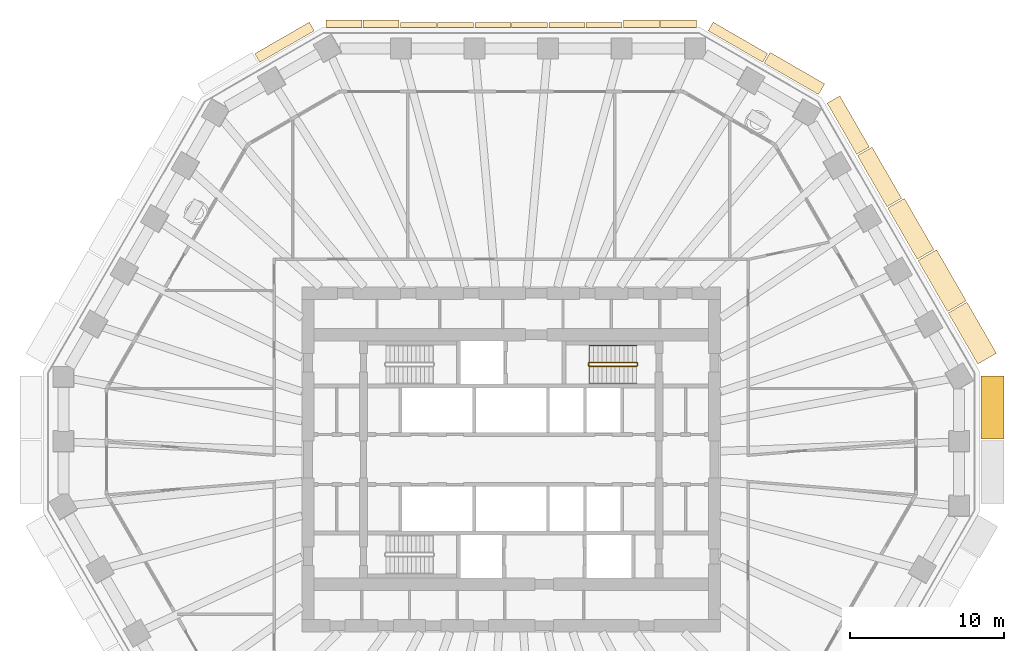
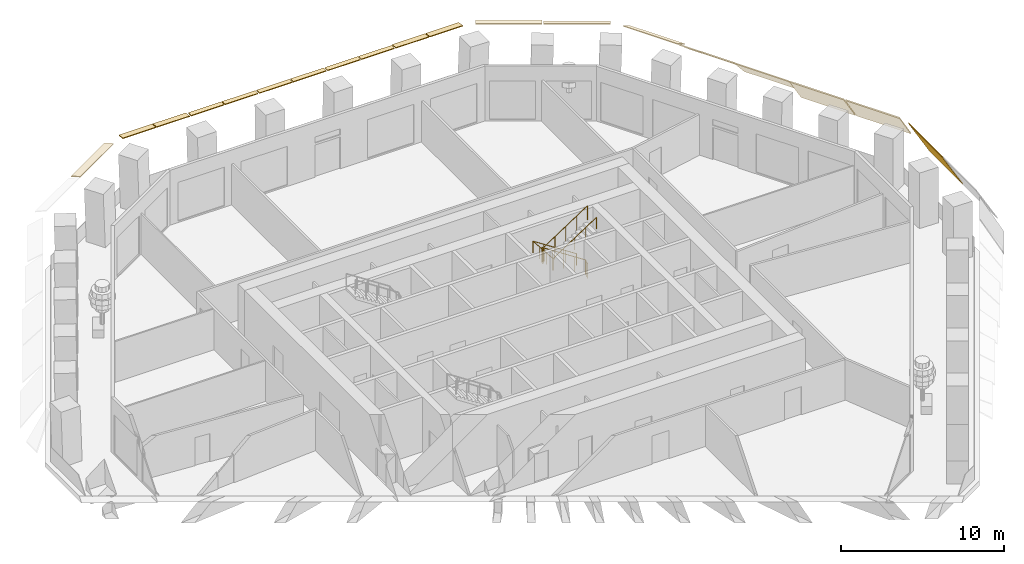
# One storey, part 11 of 13: 19 coverings, 2 railings.
"""IFC4 building model written with IfcOpenShell, lengths in metres."""

from ifc_helpers import new_model, si_unit, direction, frame, origin, origin_2d, place, context, subcontext, project, spatial, polyline, circle, outline, extrude, material, layer, layer_set, type_object, element, save


model = new_model("IFC4")

# Units and contexts
model_context = context("Model", 3, precision=1e-05, world=origin(), true_north=direction((0.0, 1.0)))
body_context = subcontext(model_context, "Body", "Model", "MODEL_VIEW")
ifc_project = project(units=[si_unit("LENGTHUNIT", "METRE"), si_unit("AREAUNIT", "SQUARE_METRE"), si_unit("VOLUMEUNIT", "CUBIC_METRE"), si_unit("PLANEANGLEUNIT", "RADIAN"), si_unit("MASSUNIT", "GRAM", prefix="KILO")], contexts=[model_context])

# Site, building, storey
site_placement = place(None, origin())
site = spatial("IfcSite", under=ifc_project, at=site_placement, CompositionType="ELEMENT")
building_placement = place(site_placement, origin())
building = spatial("IfcBuilding", under=site, at=building_placement, Name="Frailejon Research Tower", CompositionType="ELEMENT")
storey_placement = place(building_placement, frame((0.0, 0.0, 117.60009765625)))
storey = spatial("IfcBuildingStorey", under=building, at=storey_placement, Name="L25", CompositionType="ELEMENT", Elevation=117.60009765625)

# Coverings
ifc_material_1 = material(Name="Precast concrete C50/60", Category="concrete")
ifc_layer_1 = layer(ifc_material_1, 0.06005859375)
ifc_layer_set_1 = layer_set([ifc_layer_1], Name="Brim blade depth 1100")
covering_type_1 = type_object("IfcCoveringType", Name="Brim blade depth 1100", PredefinedType="CLADDING", material=ifc_layer_set_1)
covering_1_placement = place(storey_placement, frame((22.488525390625, 19.738037109375, 4.25), z_axis=(0.499989508112, -0.866031461194, 0.0), x_axis=(0.866031461194, 0.499989508112, 0.0)))
element("IfcCovering", 1, at=covering_1_placement, inside=storey, type_object=covering_type_1, Name="Brim blade L25", PredefinedType="CLADDING", context=body_context, shape_type="SweptSolid", body=[
    extrude(outline(polyline([(0.0, -0.078369140625), (1.10009765625, -1.001220703125), (1.10009765625, -0.923095703125), (0.0, 0.0), (0.0, -0.078369140625)])), origin(), (0.0, 0.0, 1.0), 3.8330078125),
])
ifc_material_2 = material(Name="Precast concrete C50/60", Category="concrete")
ifc_layer_2 = layer(ifc_material_2, 0.06005859375)
ifc_layer_set_2 = layer_set([ifc_layer_2], Name="Brim blade depth 1250")
covering_type_2 = type_object("IfcCoveringType", Name="Brim blade depth 1250", PredefinedType="CLADDING", material=ifc_layer_set_2)
covering_2_placement = place(storey_placement, frame((24.455078125, 16.33203125, 4.25), z_axis=(0.500008578094, -0.866020451163, 0.0), x_axis=(0.866020451163, 0.500008578094, 0.0)))
element("IfcCovering", 2, at=covering_2_placement, inside=storey, type_object=covering_type_2, Name="Brim blade L25", PredefinedType="CLADDING", context=body_context, shape_type="SweptSolid", body=[
    extrude(outline(polyline([(0.0, -0.0888671875), (1.25, -1.452880859375), (1.25, -1.364013671875), (0.0, 0.0), (0.0, -0.0888671875)])), origin(), (0.0, 0.0, 1.0), 3.8330078125),
])
ifc_material_3 = material(Name="Precast concrete C50/60", Category="concrete")
ifc_layer_3 = layer(ifc_material_3, 0.06005859375)
ifc_layer_set_3 = layer_set([ifc_layer_3], Name="Brim blade depth 1400")
covering_type_3 = type_object("IfcCoveringType", Name="Brim blade depth 1400", PredefinedType="CLADDING", material=ifc_layer_set_3)
for number, where, z_axis, x_axis, name in (
    (3, (28.387939453125, 9.52001953125, 4.25), (0.499989508112, -0.866031461194, 0.0), (0.866031461194, 0.499989508112, 0.0), "Brim blade L25"),
    (4, (26.42138671875, 12.926025390625, 4.25), (0.499997567955, -0.866026807922, 0.0), (0.866026807922, 0.499997567955, 0.0), "Brim blade L25"),
):
    element("IfcCovering", number, at=place(storey_placement, frame(where, z_axis=z_axis, x_axis=x_axis)), inside=storey, type_object=covering_type_3, Name=name, PredefinedType="CLADDING", context=body_context, shape_type="SweptSolid", body=[
        extrude(outline(polyline([(0.0, -0.1044921875), (1.39990234375, -2.10400390625), (1.39990234375, -1.99951171875), (0.0, 0.0), (0.0, -0.1044921875)])), origin(), (0.0, 0.0, 1.0), 3.8330078125),
    ])
ifc_material_4 = material(Name="Precast concrete C50/60", Category="concrete")
ifc_layer_4 = layer(ifc_material_4, 0.06005859375)
ifc_layer_set_4 = layer_set([ifc_layer_4], Name="Brim blade depth 1500")
covering_type_4 = type_object("IfcCoveringType", Name="Brim blade depth 1500", PredefinedType="CLADDING", material=ifc_layer_set_4)
covering_3_placement = place(storey_placement, frame((30.51025390625, 5.432373046875, 4.25), z_axis=(0.0, -1.0, 0.0), x_axis=(1.0, 0.0, 0.0)))
element("IfcCovering", 5, at=covering_3_placement, inside=storey, type_object=covering_type_4, Name="Brim blade L25", PredefinedType="CLADDING", context=body_context, shape_type="SweptSolid", body=[
    extrude(outline(polyline([(0.0, -0.1201171875), (1.5, -2.718017578125), (1.5, -2.59814453125), (0.0, 0.0), (0.0, -0.1201171875)])), origin(), (0.0, 0.0, 1.0), 4.08740234375),
])
ifc_material_5 = material(Name="Precast concrete C50/60", Category="concrete")
ifc_layer_5 = layer(ifc_material_5, 0.06005859375)
ifc_layer_set_5 = layer_set([ifc_layer_5], Name="Brim blade depth 350")
covering_type_5 = type_object("IfcCoveringType", Name="Brim blade depth 350", PredefinedType="CLADDING", material=ifc_layer_set_5)
for number, where, z_axis, x_axis, name in (
    (6, (4.860107421875, 28.050048828125, 4.25), (1.0, 0.0, 0.0), (0.0, 1.0, 0.0), "Brim blade L25"),
    (7, (2.465087890625, 28.050048828125, 4.25), (1.0, 0.0, 0.0), (0.0, 1.0, 0.0), "Brim blade L25"),
    (8, (0.030029296875, 28.050048828125, 4.25), (1.0, 0.0, 0.0), (0.0, 1.0, 0.0), "Brim blade L25"),
    (9, (-2.364990234375, 28.050048828125, 4.25), (1.0, 0.0, 0.0), (0.0, 1.0, 0.0), "Brim blade L25"),
    (10, (-4.800048828125, 28.050048828125, 4.25), (1.0, 0.0, 0.0), (0.0, 1.0, 0.0), "Brim blade L25"),
    (11, (-7.195068359375, 28.050048828125, 4.25), (1.0, 0.0, 0.0), (0.0, 1.0, 0.0), "Brim blade L25"),
):
    element("IfcCovering", number, at=place(storey_placement, frame(where, z_axis=z_axis, x_axis=x_axis)), inside=storey, type_object=covering_type_5, Name=name, PredefinedType="CLADDING", context=body_context, shape_type="SweptSolid", body=[
        extrude(outline(polyline([(0.0, -0.06005859375), (0.35009765625, -0.06005859375), (0.35009765625, 0.0), (0.0, 0.0), (0.0, -0.06005859375)])), origin(), (0.0, 0.0, 1.0), 2.3349609375),
    ])
ifc_material_6 = material(Name="Precast concrete C50/60", Category="concrete")
ifc_layer_6 = layer(ifc_material_6, 0.06005859375)
ifc_layer_set_6 = layer_set([ifc_layer_6], Name="Brim blade depth 500")
covering_type_6 = type_object("IfcCoveringType", Name="Brim blade depth 500", PredefinedType="CLADDING", material=ifc_layer_set_6)
for number, where, z_axis, x_axis, name in (
    (12, (9.68994140625, 28.050048828125, 4.25), (1.0, 0.0, 0.0), (0.0, 1.0, 0.0), "Brim blade L25"),
    (13, (7.294921875, 28.050048828125, 4.25), (1.0, 0.0, 0.0), (0.0, 1.0, 0.0), "Brim blade L25"),
    (14, (-9.6298828125, 28.050048828125, 4.25), (1.0, 0.0, 0.0), (0.0, 1.0, 0.0), "Brim blade L25"),
    (15, (-12.02490234375, 28.050048828125, 4.25), (1.0, 0.0, 0.0), (0.0, 1.0, 0.0), "Brim blade L25"),
):
    element("IfcCovering", number, at=place(storey_placement, frame(where, z_axis=z_axis, x_axis=x_axis)), inside=storey, type_object=covering_type_6, Name=name, PredefinedType="CLADDING", context=body_context, shape_type="SweptSolid", body=[
        extrude(outline(polyline([(0.0, -0.060546875), (0.5, -0.130859375), (0.5, -0.0703125), (0.0, 0.0), (0.0, -0.060546875)])), origin(), (0.0, 0.0, 1.0), 2.3349609375),
    ])
ifc_material_7 = material(Name="Precast concrete C50/60", Category="concrete")
ifc_layer_7 = layer(ifc_material_7, 0.06005859375)
ifc_layer_set_7 = layer_set([ifc_layer_7], Name="Brim blade depth 650")
covering_type_7 = type_object("IfcCoveringType", Name="Brim blade depth 650", PredefinedType="CLADDING", material=ifc_layer_set_7)
for number, where, z_axis, x_axis, name in (
    (16, (12.793212890625, 27.843994140625, 4.25), (0.866027315287, -0.499996689166, 0.0), (0.499996689166, 0.866027315287, 0.0), "Brim blade L25"),
    (17, (-16.333251953125, 25.80029296875, 4.25), (0.866027315287, 0.499996689166, 0.0), (-0.499996689166, 0.866027315287, 0.0), "Brim blade L25"),
):
    element("IfcCovering", number, at=place(storey_placement, frame(where, z_axis=z_axis, x_axis=x_axis)), inside=storey, type_object=covering_type_7, Name=name, PredefinedType="CLADDING", context=body_context, shape_type="SweptSolid", body=[
        extrude(outline(polyline([(0.0, -0.0625), (0.64990234375, -0.248779296875), (0.64990234375, -0.186279296875), (0.0, 0.0), (0.0, -0.0625)])), origin(), (0.0, 0.0, 1.0), 4.087646484375),
    ])
ifc_material_8 = material(Name="Precast concrete C50/60", Category="concrete")
ifc_layer_8 = layer(ifc_material_8, 0.06005859375)
ifc_layer_set_8 = layer_set([ifc_layer_8], Name="Brim blade depth 800")
covering_type_8 = type_object("IfcCoveringType", Name="Brim blade depth 800", PredefinedType="CLADDING", material=ifc_layer_set_8)
covering_4_placement = place(storey_placement, frame((16.419921875, 25.750244140625, 4.25), z_axis=(0.866021344981, -0.500007029989, 0.0), x_axis=(0.500007029989, 0.866021344981, 0.0)))
element("IfcCovering", 18, at=covering_4_placement, inside=storey, type_object=covering_type_8, Name="Brim blade L25", PredefinedType="CLADDING", context=body_context, shape_type="SweptSolid", body=[
    extrude(outline(polyline([(0.0, -0.065673828125), (0.800048828125, -0.421875), (0.800048828125, -0.356201171875), (0.0, 0.0), (0.0, -0.065673828125)])), origin(), (0.0, 0.0, 1.0), 4.08740234375),
])
ifc_material_9 = material(Name="Precast concrete C50/60", Category="concrete")
ifc_layer_9 = layer(ifc_material_9, 0.06005859375)
ifc_layer_set_9 = layer_set([ifc_layer_9], Name="Brim blade depth 950")
covering_type_9 = type_object("IfcCoveringType", Name="Brim blade depth 950", PredefinedType="CLADDING", material=ifc_layer_set_9)
covering_5_placement = place(storey_placement, frame((20.522216796875, 23.14404296875, 4.25), z_axis=(0.500008578094, -0.866020451163, 0.0), x_axis=(0.866020451163, 0.500008578094, 0.0)))
element("IfcCovering", 19, at=covering_5_placement, inside=storey, type_object=covering_type_9, Name="Brim blade L25", PredefinedType="CLADDING", context=body_context, shape_type="SweptSolid", body=[
    extrude(outline(polyline([(0.0, -0.07080078125), (0.949951171875, -0.664306640625), (0.949951171875, -0.593505859375), (0.0, 0.0), (0.0, -0.07080078125)])), origin(), (0.0, 0.0, 1.0), 3.8330078125),
])

# Railings
ifc_material_10 = material(Name="Stainless steel", Category="steel")
railing_type_1 = type_object("IfcRailingType", Name="Stair guard 1100", PredefinedType="GUARDRAIL", material=ifc_material_10)
railing_1_placement = place(storey_placement, frame((8.199951171875, 6.10009765625, 0.0)))
element("IfcRailing", 20, at=railing_1_placement, inside=storey, type_object=railing_type_1, Name="L25 ST3 stair guard 1", PredefinedType="GUARDRAIL", context=body_context, shape_type="SweptSolid", body=[
    extrude(circle(Radius=0.02392578125, at=origin_2d()), frame((0.0, 0.0, 1.076171875), z_axis=(0.0, 1.0, 0.0), x_axis=(-1.0, 0.0, 0.0)), (0.0, 0.0, 1.0), 0.14990234375),
    extrude(circle(Radius=0.02392578125, at=origin_2d()), frame((0.0, 0.14990234375, 1.076171875), z_axis=(-0.254653276557, 0.254653276557, 0.932900539971), x_axis=(-0.707106781187, -0.707106781187, 0.0)), (0.0, 0.0, 1.0), 0.196533203125),
    extrude(circle(Radius=0.02392578125, at=origin_2d()), frame((-0.050048828125, 0.199951171875, 1.25927734375), z_axis=(-0.836613101238, 0.0, 0.547794230379), x_axis=(0.0, -1.0, 0.0)), (0.0, 0.0, 1.0), 3.681396484375),
    extrude(circle(Radius=0.02392578125, at=origin_2d()), frame((-3.1298828125, 0.199951171875, 3.27587890625), z_axis=(-0.707106781187, -0.707106781187, 0.0), x_axis=(0.707106781187, -0.707106781187, 0.0)), (0.0, 0.0, 1.0), 0.07080078125),
    extrude(circle(Radius=0.02392578125, at=origin_2d()), frame((-3.179931640625, 0.14990234375, 3.27587890625), z_axis=(0.0, -1.0, 0.0), x_axis=(1.0, 0.0, 0.0)), (0.0, 0.0, 1.0), 0.14990234375),
    extrude(circle(Radius=0.02392578125, at=origin_2d()), frame((-3.179931640625, 0.0, 3.27587890625), z_axis=(0.254653276557, -0.254653276557, 0.932900539971), x_axis=(0.707106781187, 0.707106781187, 0.0)), (0.0, 0.0, 1.0), 0.196533203125),
    extrude(circle(Radius=0.02392578125, at=origin_2d()), frame((-3.1298828125, -0.050048828125, 3.45947265625), z_axis=(0.836613101238, 0.0, 0.547794230379), x_axis=(0.0, 1.0, 0.0)), (0.0, 0.0, 1.0), 3.681396484375),
    extrude(circle(Radius=0.02099609375, at=origin_2d()), origin(), (0.0, 0.0, 1.0), 1.052001953125),
    extrude(circle(Radius=0.02099609375, at=origin_2d()), frame((0.0, 0.14990234375, 0.0)), (0.0, 0.0, 1.0), 1.052001953125),
    extrude(circle(Radius=0.02099609375, at=origin_2d()), frame((-0.050048828125, 0.199951171875, 0.183349609375)), (0.0, 0.0, 1.0), 1.052001953125),
    extrude(circle(Radius=0.02099609375, at=origin_2d()), frame((-0.820068359375, 0.199951171875, 0.6875)), (0.0, 0.0, 1.0), 1.052001953125),
    extrude(circle(Radius=0.02099609375, at=origin_2d()), frame((-1.58984375, 0.199951171875, 1.191650390625)), (0.0, 0.0, 1.0), 1.052001953125),
    extrude(circle(Radius=0.02099609375, at=origin_2d()), frame((-2.35986328125, 0.199951171875, 1.69580078125)), (0.0, 0.0, 1.0), 1.052001953125),
    extrude(circle(Radius=0.02099609375, at=origin_2d()), frame((-3.1298828125, 0.199951171875, 2.199951171875)), (0.0, 0.0, 1.0), 1.052001953125),
    extrude(circle(Radius=0.02099609375, at=origin_2d()), frame((-3.179931640625, 0.14990234375, 2.199951171875)), (0.0, 0.0, 1.0), 1.052001953125),
    extrude(circle(Radius=0.02099609375, at=origin_2d()), frame((-3.179931640625, 0.0, 2.199951171875)), (0.0, 0.0, 1.0), 1.052001953125),
    extrude(circle(Radius=0.02099609375, at=origin_2d()), frame((-3.1298828125, -0.050048828125, 2.38330078125)), (0.0, 0.0, 1.0), 1.052001953125),
    extrude(circle(Radius=0.02099609375, at=origin_2d()), frame((-2.35986328125, -0.050048828125, 2.887451171875)), (0.0, 0.0, 1.0), 1.052001953125),
    extrude(circle(Radius=0.02099609375, at=origin_2d()), frame((-1.58984375, -0.050048828125, 3.3916015625)), (0.0, 0.0, 1.0), 1.052001953125),
    extrude(circle(Radius=0.02099609375, at=origin_2d()), frame((-0.820068359375, -0.050048828125, 3.895751953125)), (0.0, 0.0, 1.0), 1.052001953125),
    extrude(circle(Radius=0.02099609375, at=origin_2d()), frame((-0.050048828125, -0.050048828125, 4.39990234375)), (0.0, 0.0, 1.0), 1.052001953125),
])
ifc_material_11 = material(Name="Stainless steel", Category="steel")
railing_type_2 = type_object("IfcRailingType", Name="Stair handrail 900", PredefinedType="HANDRAIL", material=ifc_material_11)
railing_2_placement = place(storey_placement, frame((8.14990234375, 7.39990234375, 0.183349609375)))
element("IfcRailing", 21, at=railing_2_placement, inside=storey, type_object=railing_type_2, Name="L25 ST3 stair handrail 1", PredefinedType="HANDRAIL", context=body_context, shape_type="SweptSolid", body=[
    extrude(circle(Radius=0.02392578125, at=origin_2d()), frame((0.0, 0.0, 0.8759765625), z_axis=(-0.836613101238, 0.0, 0.547794230379), x_axis=(0.0, -1.0, 0.0)), (0.0, 0.0, 1.0), 3.681396484375),
    extrude(circle(Radius=0.02392578125, at=origin_2d()), frame((-3.079833984375, 0.0, 2.892578125), z_axis=(0.0, -0.99721134034, 0.074629368868), x_axis=(1.0, 0.0, 0.0)), (0.0, 0.0, 1.0), 2.456787109375),
    extrude(circle(Radius=0.02392578125, at=origin_2d()), frame((-3.079833984375, -2.449951171875, 3.07568359375), z_axis=(0.836613101238, 0.0, 0.547794230379), x_axis=(0.0, 1.0, 0.0)), (0.0, 0.0, 1.0), 3.681396484375),
    extrude(circle(Radius=0.02099609375, at=origin_2d()), origin(), (0.0, 0.0, 1.0), 0.851806640625),
    extrude(circle(Radius=0.02099609375, at=origin_2d()), frame((-0.77001953125, 0.0, 0.504150390625)), (0.0, 0.0, 1.0), 0.851806640625),
    extrude(circle(Radius=0.02099609375, at=origin_2d()), frame((-1.5400390625, 0.0, 1.00830078125)), (0.0, 0.0, 1.0), 0.851806640625),
    extrude(circle(Radius=0.02099609375, at=origin_2d()), frame((-2.309814453125, 0.0, 1.512451171875)), (0.0, 0.0, 1.0), 0.851806640625),
    extrude(circle(Radius=0.02099609375, at=origin_2d()), frame((-3.079833984375, 0.0, 2.0166015625)), (0.0, 0.0, 1.0), 0.851806640625),
    extrude(circle(Radius=0.02099609375, at=origin_2d()), frame((-3.079833984375, -0.816650390625, 2.07763671875)), (0.0, 0.0, 1.0), 0.851806640625),
    extrude(circle(Radius=0.02099609375, at=origin_2d()), frame((-3.079833984375, -1.63330078125, 2.138916015625)), (0.0, 0.0, 1.0), 0.851806640625),
    extrude(circle(Radius=0.02099609375, at=origin_2d()), frame((-3.079833984375, -2.449951171875, 2.199951171875)), (0.0, 0.0, 1.0), 0.851806640625),
    extrude(circle(Radius=0.02099609375, at=origin_2d()), frame((-2.309814453125, -2.449951171875, 2.7041015625)), (0.0, 0.0, 1.0), 0.851806640625),
    extrude(circle(Radius=0.02099609375, at=origin_2d()), frame((-1.5400390625, -2.449951171875, 3.208251953125)), (0.0, 0.0, 1.0), 0.851806640625),
    extrude(circle(Radius=0.02099609375, at=origin_2d()), frame((-0.77001953125, -2.449951171875, 3.71240234375)), (0.0, 0.0, 1.0), 0.851806640625),
    extrude(circle(Radius=0.02099609375, at=origin_2d()), frame((0.0, -2.449951171875, 4.216552734375)), (0.0, 0.0, 1.0), 0.851806640625),
])

save(model, "model.ifc")
